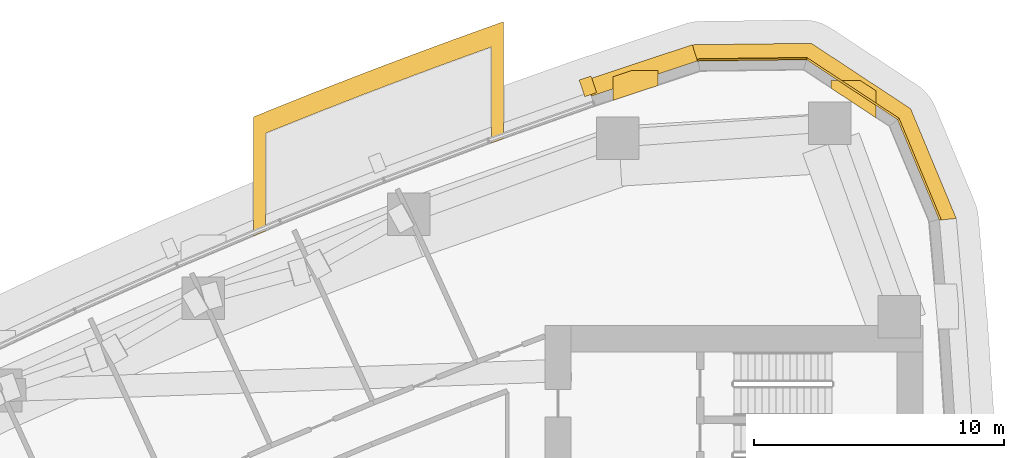
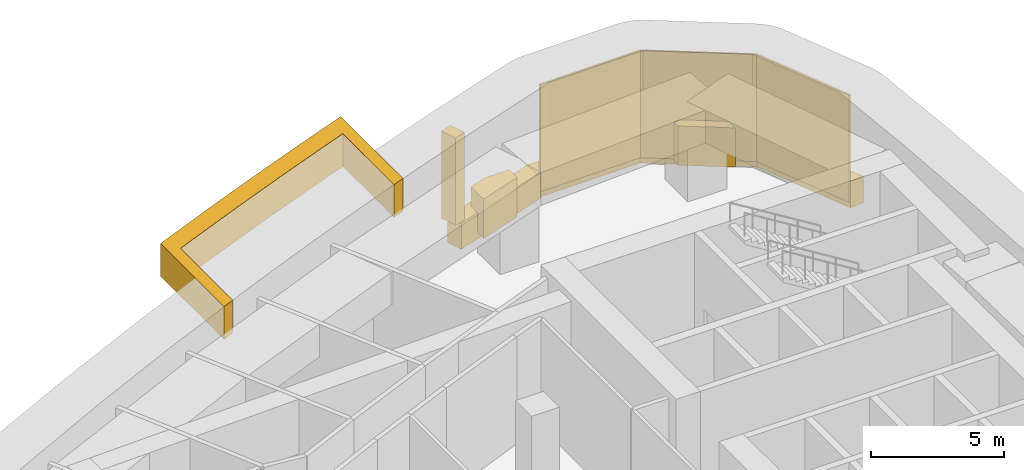
# One storey, part 19 of 19: 9 coverings.
"""IFC4 building model written with IfcOpenShell, lengths in metres."""

from ifc_helpers import new_model, si_unit, direction, frame, frame_2d, origin, place, context, subcontext, project, spatial, polyline, rectangle, outline, extrude, material, layer, layer_set, type_object, element, save


model = new_model("IFC4")

# Units and contexts
model_context = context("Model", 3, precision=1e-05, world=origin(), true_north=direction((0.0, 1.0)))
body_context = subcontext(model_context, "Body", "Model", "MODEL_VIEW")
ifc_project = project(units=[si_unit("LENGTHUNIT", "METRE"), si_unit("AREAUNIT", "SQUARE_METRE"), si_unit("VOLUMEUNIT", "CUBIC_METRE"), si_unit("PLANEANGLEUNIT", "RADIAN"), si_unit("MASSUNIT", "GRAM", prefix="KILO")], contexts=[model_context])

# Site, building, storey
site_placement = place(None, origin())
site = spatial("IfcSite", under=ifc_project, at=site_placement, CompositionType="ELEMENT")
building_placement = place(site_placement, origin())
building = spatial("IfcBuilding", under=site, at=building_placement, Name="Ostrand Prow Hotel Tower", CompositionType="ELEMENT")
storey_placement = place(building_placement, frame((0.0, 0.0, 120.39990234375)))
storey = spatial("IfcBuildingStorey", under=building, at=storey_placement, Name="L29", CompositionType="ELEMENT", Elevation=120.39990234375)

# Coverings
ifc_material_1 = material(Name="Limestone cladding", Category="masonry")
ifc_layer_1 = layer(ifc_material_1, 2.0)
ifc_layer_set_1 = layer_set([ifc_layer_1], Name="Limestone cladding")
covering_type_1 = type_object("IfcCoveringType", Name="Belt lip limestone", PredefinedType="CLADDING", material=ifc_layer_set_1)
covering_1_placement = place(storey_placement, origin())
element("IfcCovering", 1, at=covering_1_placement, inside=storey, type_object=covering_type_1, Name="Belt fin 14 L29", PredefinedType="CLADDING", context=body_context, shape_type="SweptSolid", body=[
    extrude(outline(polyline([(62.876220703125, 26.194091796875), (62.24560546875, 26.60888671875), (61.076171875, 26.60888671875), (61.076171875, 26.30126953125), (62.876220703125, 25.11669921875), (62.876220703125, 26.194091796875)])), origin(), (0.0, 0.0, 1.0), 1.800048828125),
])
covering_2_placement = place(storey_placement, origin())
element("IfcCovering", 2, at=covering_2_placement, inside=storey, type_object=covering_type_1, Name="Belt fin 15 L29", PredefinedType="CLADDING", context=body_context, shape_type="SweptSolid", body=[
    extrude(outline(polyline([(53.12548828125, 27.00390625), (52.370849609375, 26.75390625), (52.370849609375, 25.8056640625), (54.1708984375, 26.402099609375), (54.1708984375, 27.00390625), (53.12548828125, 27.00390625)])), origin(), (0.0, 0.0, 1.0), 1.800048828125),
])
ifc_material_2 = material(Name="Bronze anodised aluminium cladding", Category="aluminium")
ifc_layer_2 = layer(ifc_material_2, 0.60009765625)
ifc_layer_set_2 = layer_set([ifc_layer_2], Name="Bronze anodised aluminium cladding")
covering_type_2 = type_object("IfcCoveringType", Name="Bronze spandrel band 1200x600", PredefinedType="CLADDING", material=ifc_layer_set_2)
covering_3_placement = place(storey_placement, frame((0.0, 0.0, -0.2998046875)))
element("IfcCovering", 3, at=covering_3_placement, inside=storey, type_object=covering_type_2, Name="Spandrel band back 4", PredefinedType="CLADDING", context=body_context, shape_type="SweptSolid", body=[
    extrude(outline(polyline([(66.09326171875, 21.086669921875), (64.267578125, 25.476806640625), (60.2958984375, 28.09033203125), (55.54150390625, 28.0302734375), (55.724609375, 27.458984375), (60.127197265625, 27.514404296875), (63.805419921875, 25.093994140625), (65.49609375, 21.02880859375), (66.09326171875, 21.086669921875)])), origin(), (0.0, 0.0, 1.0), 1.199951171875),
])
covering_4_placement = place(storey_placement, frame((0.0, 0.0, -0.2998046875)))
element("IfcCovering", 4, at=covering_4_placement, inside=storey, type_object=covering_type_2, Name="Spandrel band back 5", PredefinedType="CLADDING", context=body_context, shape_type="SweptSolid", body=[
    extrude(outline(polyline([(55.54150390625, 28.0302734375), (51.28369140625, 26.619384765625), (51.50390625, 25.97607421875), (55.7490234375, 27.3828125), (55.54150390625, 28.0302734375)])), origin(), (0.0, 0.0, 1.0), 1.199951171875),
])
ifc_material_3 = material(Name="Limestone cladding", Category="masonry")
ifc_layer_3 = layer(ifc_material_3, 4.0)
ifc_layer_set_3 = layer_set([ifc_layer_3], Name="Limestone cladding")
covering_type_3 = type_object("IfcCoveringType", Name="Portal lintel limestone", PredefinedType="CLADDING", material=ifc_layer_set_3)
covering_5_placement = place(storey_placement, frame((0.0, 0.0, 3.7001953125)))
element("IfcCovering", 5, at=covering_5_placement, inside=storey, type_object=covering_type_3, Name="Portal jamb cap NB L29", PredefinedType="CLADDING", context=body_context, shape_type="SweptSolid", body=[
    extrude(outline(polyline([(38.0, 25.146240234375), (38.0, 20.38623046875), (38.490966796875, 20.58984375), (38.49072265625, 20.590576171875), (38.490478515625, 20.59130859375), (38.490234375, 20.59228515625), (38.489990234375, 20.59326171875), (38.489990234375, 20.59423828125), (38.489990234375, 24.486083984375), (38.489990234375, 24.4873046875), (38.490234375, 24.48828125), (38.490478515625, 24.489013671875), (38.49072265625, 24.489990234375), (38.4912109375, 24.490966796875), (38.49169921875, 24.49169921875), (38.4921875, 24.49267578125), (38.492919921875, 24.493408203125), (38.49365234375, 24.493896484375), (38.494384765625, 24.49462890625), (38.495361328125, 24.4951171875), (38.496337890625, 24.49560546875), (39.496337890625, 24.899658203125), (39.496337890625, 24.899658203125), (40.496337890625, 25.29833984375), (40.496337890625, 25.29833984375), (41.496337890625, 25.69140625), (41.496337890625, 25.69140625), (42.496337890625, 26.0791015625), (42.496337890625, 26.0791015625), (43.496337890625, 26.46142578125), (43.49658203125, 26.46142578125), (44.49658203125, 26.83837890625), (44.49658203125, 26.83837890625), (45.49658203125, 27.2099609375), (45.49658203125, 27.2099609375), (46.49658203125, 27.575927734375), (46.49658203125, 27.575927734375), (47.49658203125, 27.93701171875), (47.49755859375, 27.93701171875), (47.49853515625, 27.937255859375), (47.49951171875, 27.9375), (47.50048828125, 27.9375), (47.501220703125, 27.9375), (47.502197265625, 27.937255859375), (47.503173828125, 27.93701171875), (47.504150390625, 27.9365234375), (47.5048828125, 27.93603515625), (47.505615234375, 27.935546875), (47.506591796875, 27.93505859375), (47.507080078125, 27.934326171875), (47.5078125, 27.93359375), (47.50830078125, 27.932861328125), (47.5087890625, 27.93212890625), (47.50927734375, 27.93115234375), (47.509521484375, 27.930419921875), (47.509765625, 27.929443359375), (47.510009765625, 27.928466796875), (47.510009765625, 27.927490234375), (47.510009765625, 24.1025390625), (48.0, 24.28125), (48.0, 28.95458984375), (47.0, 28.597900390625), (46.0, 28.236083984375), (45.0, 27.86865234375), (44.0, 27.49609375), (43.0, 27.117919921875), (42.0, 26.734619140625), (41.0, 26.345703125), (40.0, 25.951416015625), (39.0, 25.551513671875), (38.0, 25.146240234375)])), origin(), (0.0, 0.0, 1.0), 1.5),
])
ifc_material_4 = material(Name="Limestone cladding", Category="masonry")
ifc_layer_4 = layer(ifc_material_4, 0.5)
ifc_layer_set_4 = layer_set([ifc_layer_4], Name="Limestone cladding")
covering_type_4 = type_object("IfcCoveringType", Name="Precast stone fin 500x600", PredefinedType="CLADDING", material=ifc_layer_set_4)
covering_6_placement = place(storey_placement, frame((51.482666015625, 26.0380859375, 0.900146484375), z_axis=(0.0, 0.0, 1.0), x_axis=(-0.324065681594, 0.946034583941, 0.0)))
element("IfcCovering", 6, at=covering_6_placement, inside=storey, type_object=covering_type_4, Name="Stone fin N 1", PredefinedType="CLADDING", context=body_context, shape_type="SweptSolid", body=[
    extrude(rectangle(XDim=0.699951171875, YDim=0.5, at=frame_2d((0.35009765625, 0.0))), origin(), (0.0, 0.0, 1.0), 4.0),
])
ifc_material_5 = material(Name="Limestone cladding", Category="masonry")
ifc_layer_5 = layer(ifc_material_5, 0.080078125)
ifc_layer_set_5 = layer_set([ifc_layer_5], Name="Limestone cladding")
covering_type_5 = type_object("IfcCoveringType", Name="Warm limestone cladding 80 mm", PredefinedType="CLADDING", material=ifc_layer_set_5)
covering_7_placement = place(storey_placement, frame((65.456298828125, 21.02490234375, 0.0), z_axis=(0.0, 0.0, 1.0), x_axis=(-0.384033439853, 0.92331918483, 0.0)))
element("IfcCovering", 7, at=covering_7_placement, inside=storey, type_object=covering_type_5, Name="Limestone cladding back 15", PredefinedType="CLADDING", context=body_context, shape_type="SweptSolid", body=[
    extrude(outline(polyline([(-0.006103515625, -0.0400390625), (4.391845703125, -0.0400390625), (4.367431640625, 0.0400390625), (0.006103515625, 0.0400390625), (-0.006103515625, -0.0400390625)])), origin(), (0.0, 0.0, 1.0), 4.900146484375),
])
covering_8_placement = place(storey_placement, frame((63.7744140625, 25.068603515625, 0.0), z_axis=(0.0, 0.0, 1.0), x_axis=(-0.835354433247, 0.549711716133, 0.0)))
element("IfcCovering", 8, at=covering_8_placement, inside=storey, type_object=covering_type_5, Name="Limestone cladding back 16", PredefinedType="CLADDING", context=body_context, shape_type="SweptSolid", body=[
    extrude(outline(polyline([(-0.01220703125, -0.0400390625), (4.3916015625, -0.0400390625), (4.3671875, 0.0400390625), (0.01220703125, 0.0400390625), (-0.01220703125, -0.0400390625)])), origin(), (0.0, 0.0, 1.0), 4.900146484375),
])
covering_9_placement = place(storey_placement, frame((60.115966796875, 27.47607421875, 0.0), z_axis=(0.0, 0.0, 1.0), x_axis=(-0.999920633805, -0.012598654359, 0.0)))
element("IfcCovering", 9, at=covering_9_placement, inside=storey, type_object=covering_type_5, Name="Limestone cladding back 17", PredefinedType="CLADDING", context=body_context, shape_type="SweptSolid", body=[
    extrude(outline(polyline([(-0.01220703125, -0.0400390625), (4.385498046875, -0.0400390625), (4.373291015625, 0.0400390625), (0.01220703125, 0.0400390625), (-0.01220703125, -0.0400390625)])), origin(), (0.0, 0.0, 1.0), 4.900146484375),
])

save(model, "model.ifc")
